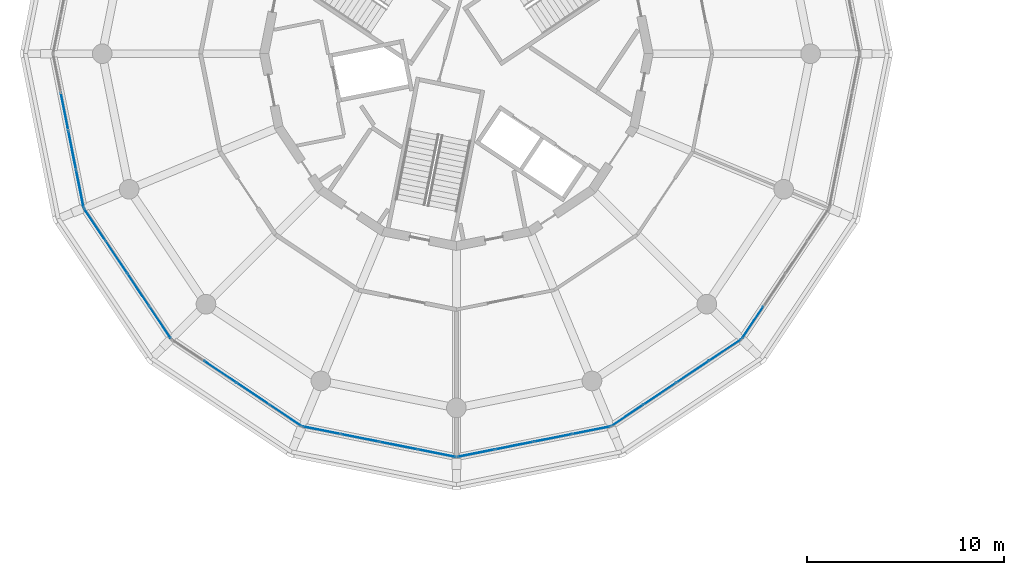
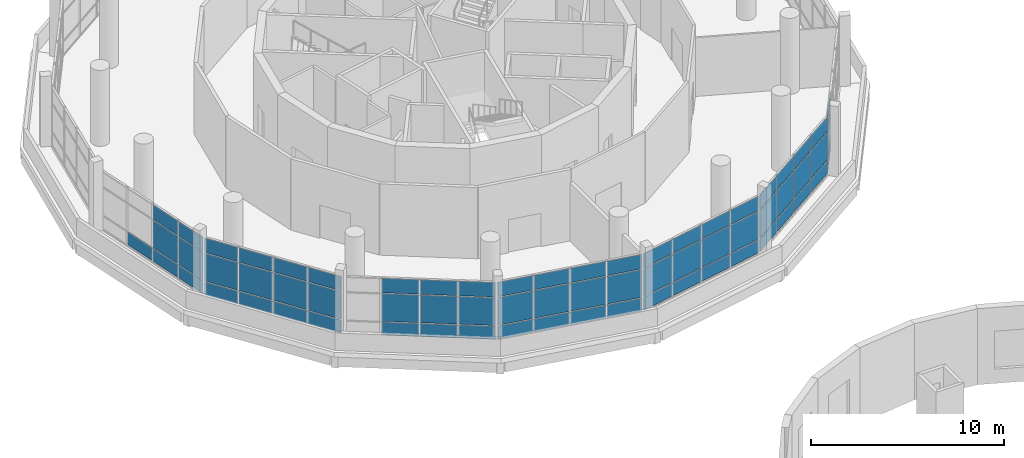
# One storey, part 18 of 40: 67 plates, 7 elements without a shape of their own.
"""IFC4 building model written with IfcOpenShell, lengths in metres."""

from ifc_helpers import new_model, si_unit, direction, frame, origin, origin_2d, place, context, subcontext, project, spatial, rectangle, extrude, material, layer, layer_set, type_object, element, aggregate, save


model = new_model("IFC4")

# Units and contexts
model_context = context("Model", 3, precision=1e-05, world=origin(), true_north=direction((0.0, 1.0)))
body_context = subcontext(model_context, "Body", "Model", "MODEL_VIEW")
ifc_project = project(units=[si_unit("LENGTHUNIT", "METRE"), si_unit("AREAUNIT", "SQUARE_METRE"), si_unit("VOLUMEUNIT", "CUBIC_METRE"), si_unit("PLANEANGLEUNIT", "RADIAN"), si_unit("MASSUNIT", "GRAM", prefix="KILO")], contexts=[model_context])

# Site, building, storey
site_placement = place(None, origin())
site = spatial("IfcSite", under=ifc_project, at=site_placement, CompositionType="ELEMENT")
building_placement = place(site_placement, origin())
building = spatial("IfcBuilding", under=site, at=building_placement, Name="Ceibo Conservatory and Research Tower", CompositionType="ELEMENT")
storey_placement = place(building_placement, frame((0.0, 0.0, 6.0)))
storey = spatial("IfcBuildingStorey", under=building, at=storey_placement, Name="L01", CompositionType="ELEMENT", Elevation=6.0)

# Curtain wall, plates
ifc_material_1 = material(Name="Aluminium and glass", Category="aluminium")
curtain_wall_type = type_object("IfcCurtainWallType", Name="Curtain wall CW1", PredefinedType="NOTDEFINED", material=ifc_material_1)
curtain_wall_1_placement = place(storey_placement, origin())
curtain_wall_1 = element("IfcCurtainWall", 1, at=curtain_wall_1_placement, inside=storey, type_object=curtain_wall_type, Name="CW-01.09", PredefinedType="NOTDEFINED")
ifc_material_2 = material(Name="Glass", Category="glass")
ifc_layer = layer(ifc_material_2, 0.028076171875)
ifc_layer_set = layer_set([ifc_layer], Name="Glass")
plate_type = type_object("IfcPlateType", Name="Insulated glass panel 28", PredefinedType="CURTAIN_PANEL", material=ifc_layer_set)
plate_1_placement = place(storey_placement, frame((28.085205078125, 117.05810546875, 0.06005859375), z_axis=(0.0, 0.0, 1.0), x_axis=(0.195090380799, -0.980785268711, 0.0)))
plate_1 = element("IfcPlate", 2, at=plate_1_placement, type_object=plate_type, Name="CW-01.09 panel 2.1", PredefinedType="CURTAIN_PANEL", context=body_context, shape_type="SweptSolid", body=[
    extrude(rectangle(XDim=1.939697265625, YDim=0.028076171875, at=origin_2d()), origin(), (0.0, 0.0, 1.0), 0.81005859375),
])
plate_2_placement = place(storey_placement, frame((28.475341796875, 115.096923828125, 0.06005859375), z_axis=(0.0, 0.0, 1.0), x_axis=(0.195090380799, -0.980785268711, 0.0)))
plate_2 = element("IfcPlate", 3, at=plate_2_placement, type_object=plate_type, Name="CW-01.09 panel 3.1", PredefinedType="CURTAIN_PANEL", context=body_context, shape_type="SweptSolid", body=[
    extrude(rectangle(XDim=1.939697265625, YDim=0.028076171875, at=origin_2d()), origin(), (0.0, 0.0, 1.0), 0.81005859375),
])
plate_3_placement = place(storey_placement, frame((28.475341796875, 115.096923828125, 0.93017578125), z_axis=(0.0, 0.0, 1.0), x_axis=(0.195090380799, -0.980785268711, 0.0)))
plate_3 = element("IfcPlate", 4, at=plate_3_placement, type_object=plate_type, Name="CW-01.09 panel 3.2", PredefinedType="CURTAIN_PANEL", context=body_context, shape_type="SweptSolid", body=[
    extrude(rectangle(XDim=1.939697265625, YDim=0.028076171875, at=origin_2d()), origin(), (0.0, 0.0, 1.0), 1.739990234375),
])
plate_4_placement = place(storey_placement, frame((28.475341796875, 115.096923828125, 2.72998046875), z_axis=(0.0, 0.0, 1.0), x_axis=(0.195090380799, -0.980785268711, 0.0)))
plate_4 = element("IfcPlate", 5, at=plate_4_placement, type_object=plate_type, Name="CW-01.09 panel 3.3", PredefinedType="CURTAIN_PANEL", context=body_context, shape_type="SweptSolid", body=[
    extrude(rectangle(XDim=1.939697265625, YDim=0.028076171875, at=origin_2d()), origin(), (0.0, 0.0, 1.0), 0.909912109375),
])
plate_5_placement = place(storey_placement, frame((28.862548828125, 113.150390625, 0.06005859375), z_axis=(0.0, 0.0, 1.0), x_axis=(0.195090380799, -0.980785268711, 0.0)))
plate_5 = element("IfcPlate", 6, at=plate_5_placement, type_object=plate_type, Name="CW-01.09 panel 4.1", PredefinedType="CURTAIN_PANEL", context=body_context, shape_type="SweptSolid", body=[
    extrude(rectangle(XDim=1.90966796875, YDim=0.028076171875, at=origin_2d()), origin(), (0.0, 0.0, 1.0), 0.81005859375),
])
plate_6_placement = place(storey_placement, frame((28.862548828125, 113.150390625, 0.93017578125), z_axis=(0.0, 0.0, 1.0), x_axis=(0.195090380799, -0.980785268711, 0.0)))
plate_6 = element("IfcPlate", 7, at=plate_6_placement, type_object=plate_type, Name="CW-01.09 panel 4.2", PredefinedType="CURTAIN_PANEL", context=body_context, shape_type="SweptSolid", body=[
    extrude(rectangle(XDim=1.90966796875, YDim=0.028076171875, at=origin_2d()), origin(), (0.0, 0.0, 1.0), 1.739990234375),
])
plate_7_placement = place(storey_placement, frame((28.862548828125, 113.150390625, 2.72998046875), z_axis=(0.0, 0.0, 1.0), x_axis=(0.195090380799, -0.980785268711, 0.0)))
plate_7 = element("IfcPlate", 8, at=plate_7_placement, type_object=plate_type, Name="CW-01.09 panel 4.3", PredefinedType="CURTAIN_PANEL", context=body_context, shape_type="SweptSolid", body=[
    extrude(rectangle(XDim=1.90966796875, YDim=0.028076171875, at=origin_2d()), origin(), (0.0, 0.0, 1.0), 0.909912109375),
])
aggregate(curtain_wall_1, [plate_1, plate_2, plate_3, plate_4, plate_5, plate_6, plate_7])

curtain_wall_2_placement = place(storey_placement, origin())
curtain_wall_2 = element("IfcCurtainWall", 9, at=curtain_wall_2_placement, inside=storey, type_object=curtain_wall_type, Name="CW-01.10", PredefinedType="NOTDEFINED")
plate_8_placement = place(storey_placement, frame((29.624267578125, 111.311279296875, 0.06005859375), z_axis=(0.0, 0.0, 1.0), x_axis=(0.555570178092, -0.831469649004, 0.0)))
plate_8 = element("IfcPlate", 10, at=plate_8_placement, type_object=plate_type, Name="CW-01.10 panel 1.1", PredefinedType="CURTAIN_PANEL", context=body_context, shape_type="SweptSolid", body=[
    extrude(rectangle(XDim=1.90966796875, YDim=0.028076171875, at=origin_2d()), origin(), (0.0, 0.0, 1.0), 0.81005859375),
])
plate_9_placement = place(storey_placement, frame((29.624267578125, 111.311279296875, 0.93017578125), z_axis=(0.0, 0.0, 1.0), x_axis=(0.555570178092, -0.831469649004, 0.0)))
plate_9 = element("IfcPlate", 11, at=plate_9_placement, type_object=plate_type, Name="CW-01.10 panel 1.2", PredefinedType="CURTAIN_PANEL", context=body_context, shape_type="SweptSolid", body=[
    extrude(rectangle(XDim=1.90966796875, YDim=0.028076171875, at=origin_2d()), origin(), (0.0, 0.0, 1.0), 1.739990234375),
])
plate_10_placement = place(storey_placement, frame((29.624267578125, 111.311279296875, 2.72998046875), z_axis=(0.0, 0.0, 1.0), x_axis=(0.555570178092, -0.831469649004, 0.0)))
plate_10 = element("IfcPlate", 12, at=plate_10_placement, type_object=plate_type, Name="CW-01.10 panel 1.3", PredefinedType="CURTAIN_PANEL", context=body_context, shape_type="SweptSolid", body=[
    extrude(rectangle(XDim=1.90966796875, YDim=0.028076171875, at=origin_2d()), origin(), (0.0, 0.0, 1.0), 0.909912109375),
])
plate_11_placement = place(storey_placement, frame((30.726806640625, 109.660888671875, 0.06005859375), z_axis=(0.0, 0.0, 1.0), x_axis=(0.555570178092, -0.831469649004, 0.0)))
plate_11 = element("IfcPlate", 13, at=plate_11_placement, type_object=plate_type, Name="CW-01.10 panel 2.1", PredefinedType="CURTAIN_PANEL", context=body_context, shape_type="SweptSolid", body=[
    extrude(rectangle(XDim=1.939697265625, YDim=0.028076171875, at=origin_2d()), origin(), (0.0, 0.0, 1.0), 0.81005859375),
])
plate_12_placement = place(storey_placement, frame((30.726806640625, 109.660888671875, 0.93017578125), z_axis=(0.0, 0.0, 1.0), x_axis=(0.555570178092, -0.831469649004, 0.0)))
plate_12 = element("IfcPlate", 14, at=plate_12_placement, type_object=plate_type, Name="CW-01.10 panel 2.2", PredefinedType="CURTAIN_PANEL", context=body_context, shape_type="SweptSolid", body=[
    extrude(rectangle(XDim=1.939697265625, YDim=0.028076171875, at=origin_2d()), origin(), (0.0, 0.0, 1.0), 1.739990234375),
])
plate_13_placement = place(storey_placement, frame((30.726806640625, 109.660888671875, 2.72998046875), z_axis=(0.0, 0.0, 1.0), x_axis=(0.555570178092, -0.831469649004, 0.0)))
plate_13 = element("IfcPlate", 15, at=plate_13_placement, type_object=plate_type, Name="CW-01.10 panel 2.3", PredefinedType="CURTAIN_PANEL", context=body_context, shape_type="SweptSolid", body=[
    extrude(rectangle(XDim=1.939697265625, YDim=0.028076171875, at=origin_2d()), origin(), (0.0, 0.0, 1.0), 0.909912109375),
])
plate_14_placement = place(storey_placement, frame((31.837890625, 107.998291015625, 0.06005859375), z_axis=(0.0, 0.0, 1.0), x_axis=(0.555570178092, -0.831469649004, 0.0)))
plate_14 = element("IfcPlate", 16, at=plate_14_placement, type_object=plate_type, Name="CW-01.10 panel 3.1", PredefinedType="CURTAIN_PANEL", context=body_context, shape_type="SweptSolid", body=[
    extrude(rectangle(XDim=1.939697265625, YDim=0.028076171875, at=origin_2d()), origin(), (0.0, 0.0, 1.0), 0.81005859375),
])
plate_15_placement = place(storey_placement, frame((31.837890625, 107.998291015625, 0.93017578125), z_axis=(0.0, 0.0, 1.0), x_axis=(0.555570178092, -0.831469649004, 0.0)))
plate_15 = element("IfcPlate", 17, at=plate_15_placement, type_object=plate_type, Name="CW-01.10 panel 3.2", PredefinedType="CURTAIN_PANEL", context=body_context, shape_type="SweptSolid", body=[
    extrude(rectangle(XDim=1.939697265625, YDim=0.028076171875, at=origin_2d()), origin(), (0.0, 0.0, 1.0), 1.739990234375),
])
plate_16_placement = place(storey_placement, frame((31.837890625, 107.998291015625, 2.72998046875), z_axis=(0.0, 0.0, 1.0), x_axis=(0.555570178092, -0.831469649004, 0.0)))
plate_16 = element("IfcPlate", 18, at=plate_16_placement, type_object=plate_type, Name="CW-01.10 panel 3.3", PredefinedType="CURTAIN_PANEL", context=body_context, shape_type="SweptSolid", body=[
    extrude(rectangle(XDim=1.939697265625, YDim=0.028076171875, at=origin_2d()), origin(), (0.0, 0.0, 1.0), 0.909912109375),
])
plate_17_placement = place(storey_placement, frame((32.9404296875, 106.34814453125, 0.06005859375), z_axis=(0.0, 0.0, 1.0), x_axis=(0.555570178092, -0.831469649004, 0.0)))
plate_17 = element("IfcPlate", 19, at=plate_17_placement, type_object=plate_type, Name="CW-01.10 panel 4.1", PredefinedType="CURTAIN_PANEL", context=body_context, shape_type="SweptSolid", body=[
    extrude(rectangle(XDim=1.90966796875, YDim=0.028076171875, at=origin_2d()), origin(), (0.0, 0.0, 1.0), 0.81005859375),
])
plate_18_placement = place(storey_placement, frame((32.9404296875, 106.34814453125, 0.93017578125), z_axis=(0.0, 0.0, 1.0), x_axis=(0.555570178092, -0.831469649004, 0.0)))
plate_18 = element("IfcPlate", 20, at=plate_18_placement, type_object=plate_type, Name="CW-01.10 panel 4.2", PredefinedType="CURTAIN_PANEL", context=body_context, shape_type="SweptSolid", body=[
    extrude(rectangle(XDim=1.90966796875, YDim=0.028076171875, at=origin_2d()), origin(), (0.0, 0.0, 1.0), 1.739990234375),
])
plate_19_placement = place(storey_placement, frame((32.9404296875, 106.34814453125, 2.72998046875), z_axis=(0.0, 0.0, 1.0), x_axis=(0.555570178092, -0.831469649004, 0.0)))
plate_19 = element("IfcPlate", 21, at=plate_19_placement, type_object=plate_type, Name="CW-01.10 panel 4.3", PredefinedType="CURTAIN_PANEL", context=body_context, shape_type="SweptSolid", body=[
    extrude(rectangle(XDim=1.90966796875, YDim=0.028076171875, at=origin_2d()), origin(), (0.0, 0.0, 1.0), 0.909912109375),
])
aggregate(curtain_wall_2, [plate_8, plate_9, plate_10, plate_11, plate_12, plate_13, plate_14, plate_15, plate_16, plate_17, plate_18, plate_19])

curtain_wall_3_placement = place(storey_placement, origin())
curtain_wall_3 = element("IfcCurtainWall", 22, at=curtain_wall_3_placement, inside=storey, type_object=curtain_wall_type, Name="CW-01.11", PredefinedType="NOTDEFINED")
plate_20_placement = place(storey_placement, frame((35.998291015625, 103.837890625, 0.06005859375), z_axis=(0.0, 0.0, 1.0), x_axis=(0.831469649004, -0.555570178092, 0.0)))
plate_20 = element("IfcPlate", 23, at=plate_20_placement, type_object=plate_type, Name="CW-01.11 panel 2.1", PredefinedType="CURTAIN_PANEL", context=body_context, shape_type="SweptSolid", body=[
    extrude(rectangle(XDim=1.939697265625, YDim=0.028076171875, at=origin_2d()), origin(), (0.0, 0.0, 1.0), 0.81005859375),
])
plate_21_placement = place(storey_placement, frame((35.998291015625, 103.837890625, 0.93017578125), z_axis=(0.0, 0.0, 1.0), x_axis=(0.831469649004, -0.555570178092, 0.0)))
plate_21 = element("IfcPlate", 24, at=plate_21_placement, type_object=plate_type, Name="CW-01.11 panel 2.2", PredefinedType="CURTAIN_PANEL", context=body_context, shape_type="SweptSolid", body=[
    extrude(rectangle(XDim=1.939697265625, YDim=0.028076171875, at=origin_2d()), origin(), (0.0, 0.0, 1.0), 1.739990234375),
])
plate_22_placement = place(storey_placement, frame((35.998291015625, 103.837890625, 2.72998046875), z_axis=(0.0, 0.0, 1.0), x_axis=(0.831469649004, -0.555570178092, 0.0)))
plate_22 = element("IfcPlate", 25, at=plate_22_placement, type_object=plate_type, Name="CW-01.11 panel 2.3", PredefinedType="CURTAIN_PANEL", context=body_context, shape_type="SweptSolid", body=[
    extrude(rectangle(XDim=1.939697265625, YDim=0.028076171875, at=origin_2d()), origin(), (0.0, 0.0, 1.0), 0.909912109375),
])
plate_23_placement = place(storey_placement, frame((37.660888671875, 102.726806640625, 0.06005859375), z_axis=(0.0, 0.0, 1.0), x_axis=(0.831469649004, -0.555570178092, 0.0)))
plate_23 = element("IfcPlate", 26, at=plate_23_placement, type_object=plate_type, Name="CW-01.11 panel 3.1", PredefinedType="CURTAIN_PANEL", context=body_context, shape_type="SweptSolid", body=[
    extrude(rectangle(XDim=1.939697265625, YDim=0.028076171875, at=origin_2d()), origin(), (0.0, 0.0, 1.0), 0.81005859375),
])
plate_24_placement = place(storey_placement, frame((37.660888671875, 102.726806640625, 0.93017578125), z_axis=(0.0, 0.0, 1.0), x_axis=(0.831469649004, -0.555570178092, 0.0)))
plate_24 = element("IfcPlate", 27, at=plate_24_placement, type_object=plate_type, Name="CW-01.11 panel 3.2", PredefinedType="CURTAIN_PANEL", context=body_context, shape_type="SweptSolid", body=[
    extrude(rectangle(XDim=1.939697265625, YDim=0.028076171875, at=origin_2d()), origin(), (0.0, 0.0, 1.0), 1.739990234375),
])
plate_25_placement = place(storey_placement, frame((37.660888671875, 102.726806640625, 2.72998046875), z_axis=(0.0, 0.0, 1.0), x_axis=(0.831469649004, -0.555570178092, 0.0)))
plate_25 = element("IfcPlate", 28, at=plate_25_placement, type_object=plate_type, Name="CW-01.11 panel 3.3", PredefinedType="CURTAIN_PANEL", context=body_context, shape_type="SweptSolid", body=[
    extrude(rectangle(XDim=1.939697265625, YDim=0.028076171875, at=origin_2d()), origin(), (0.0, 0.0, 1.0), 0.909912109375),
])
plate_26_placement = place(storey_placement, frame((39.311279296875, 101.624267578125, 0.06005859375), z_axis=(0.0, 0.0, 1.0), x_axis=(0.831469649004, -0.555570178092, 0.0)))
plate_26 = element("IfcPlate", 29, at=plate_26_placement, type_object=plate_type, Name="CW-01.11 panel 4.1", PredefinedType="CURTAIN_PANEL", context=body_context, shape_type="SweptSolid", body=[
    extrude(rectangle(XDim=1.90966796875, YDim=0.028076171875, at=origin_2d()), origin(), (0.0, 0.0, 1.0), 0.81005859375),
])
plate_27_placement = place(storey_placement, frame((39.311279296875, 101.624267578125, 0.93017578125), z_axis=(0.0, 0.0, 1.0), x_axis=(0.831469649004, -0.555570178092, 0.0)))
plate_27 = element("IfcPlate", 30, at=plate_27_placement, type_object=plate_type, Name="CW-01.11 panel 4.2", PredefinedType="CURTAIN_PANEL", context=body_context, shape_type="SweptSolid", body=[
    extrude(rectangle(XDim=1.90966796875, YDim=0.028076171875, at=origin_2d()), origin(), (0.0, 0.0, 1.0), 1.739990234375),
])
plate_28_placement = place(storey_placement, frame((39.311279296875, 101.624267578125, 2.72998046875), z_axis=(0.0, 0.0, 1.0), x_axis=(0.831469649004, -0.555570178092, 0.0)))
plate_28 = element("IfcPlate", 31, at=plate_28_placement, type_object=plate_type, Name="CW-01.11 panel 4.3", PredefinedType="CURTAIN_PANEL", context=body_context, shape_type="SweptSolid", body=[
    extrude(rectangle(XDim=1.90966796875, YDim=0.028076171875, at=origin_2d()), origin(), (0.0, 0.0, 1.0), 0.909912109375),
])
aggregate(curtain_wall_3, [plate_20, plate_21, plate_22, plate_23, plate_24, plate_25, plate_26, plate_27, plate_28])

curtain_wall_4_placement = place(storey_placement, origin())
curtain_wall_4 = element("IfcCurtainWall", 32, at=curtain_wall_4_placement, inside=storey, type_object=curtain_wall_type, Name="CW-01.12", PredefinedType="NOTDEFINED")
plate_29_placement = place(storey_placement, frame((41.150390625, 100.862548828125, 0.06005859375), z_axis=(0.0, 0.0, 1.0), x_axis=(0.980785268711, -0.195090380799, 0.0)))
plate_29 = element("IfcPlate", 33, at=plate_29_placement, type_object=plate_type, Name="CW-01.12 panel 1.1", PredefinedType="CURTAIN_PANEL", context=body_context, shape_type="SweptSolid", body=[
    extrude(rectangle(XDim=1.90966796875, YDim=0.028076171875, at=origin_2d()), origin(), (0.0, 0.0, 1.0), 0.81005859375),
])
plate_30_placement = place(storey_placement, frame((41.150390625, 100.862548828125, 0.93017578125), z_axis=(0.0, 0.0, 1.0), x_axis=(0.980785268711, -0.195090380799, 0.0)))
plate_30 = element("IfcPlate", 34, at=plate_30_placement, type_object=plate_type, Name="CW-01.12 panel 1.2", PredefinedType="CURTAIN_PANEL", context=body_context, shape_type="SweptSolid", body=[
    extrude(rectangle(XDim=1.90966796875, YDim=0.028076171875, at=origin_2d()), origin(), (0.0, 0.0, 1.0), 1.739990234375),
])
plate_31_placement = place(storey_placement, frame((41.150390625, 100.862548828125, 2.72998046875), z_axis=(0.0, 0.0, 1.0), x_axis=(0.980785268711, -0.195090380799, 0.0)))
plate_31 = element("IfcPlate", 35, at=plate_31_placement, type_object=plate_type, Name="CW-01.12 panel 1.3", PredefinedType="CURTAIN_PANEL", context=body_context, shape_type="SweptSolid", body=[
    extrude(rectangle(XDim=1.90966796875, YDim=0.028076171875, at=origin_2d()), origin(), (0.0, 0.0, 1.0), 0.909912109375),
])
plate_32_placement = place(storey_placement, frame((43.096923828125, 100.475341796875, 0.06005859375), z_axis=(0.0, 0.0, 1.0), x_axis=(0.980785268711, -0.195090380799, 0.0)))
plate_32 = element("IfcPlate", 36, at=plate_32_placement, type_object=plate_type, Name="CW-01.12 panel 2.1", PredefinedType="CURTAIN_PANEL", context=body_context, shape_type="SweptSolid", body=[
    extrude(rectangle(XDim=1.939697265625, YDim=0.028076171875, at=origin_2d()), origin(), (0.0, 0.0, 1.0), 0.81005859375),
])
plate_33_placement = place(storey_placement, frame((43.096923828125, 100.475341796875, 0.93017578125), z_axis=(0.0, 0.0, 1.0), x_axis=(0.980785268711, -0.195090380799, 0.0)))
plate_33 = element("IfcPlate", 37, at=plate_33_placement, type_object=plate_type, Name="CW-01.12 panel 2.2", PredefinedType="CURTAIN_PANEL", context=body_context, shape_type="SweptSolid", body=[
    extrude(rectangle(XDim=1.939697265625, YDim=0.028076171875, at=origin_2d()), origin(), (0.0, 0.0, 1.0), 1.739990234375),
])
plate_34_placement = place(storey_placement, frame((43.096923828125, 100.475341796875, 2.72998046875), z_axis=(0.0, 0.0, 1.0), x_axis=(0.980785268711, -0.195090380799, 0.0)))
plate_34 = element("IfcPlate", 38, at=plate_34_placement, type_object=plate_type, Name="CW-01.12 panel 2.3", PredefinedType="CURTAIN_PANEL", context=body_context, shape_type="SweptSolid", body=[
    extrude(rectangle(XDim=1.939697265625, YDim=0.028076171875, at=origin_2d()), origin(), (0.0, 0.0, 1.0), 0.909912109375),
])
plate_35_placement = place(storey_placement, frame((45.05810546875, 100.085205078125, 0.06005859375), z_axis=(0.0, 0.0, 1.0), x_axis=(0.980785268711, -0.195090380799, 0.0)))
plate_35 = element("IfcPlate", 39, at=plate_35_placement, type_object=plate_type, Name="CW-01.12 panel 3.1", PredefinedType="CURTAIN_PANEL", context=body_context, shape_type="SweptSolid", body=[
    extrude(rectangle(XDim=1.939697265625, YDim=0.028076171875, at=origin_2d()), origin(), (0.0, 0.0, 1.0), 0.81005859375),
])
plate_36_placement = place(storey_placement, frame((45.05810546875, 100.085205078125, 0.93017578125), z_axis=(0.0, 0.0, 1.0), x_axis=(0.980785268711, -0.195090380799, 0.0)))
plate_36 = element("IfcPlate", 40, at=plate_36_placement, type_object=plate_type, Name="CW-01.12 panel 3.2", PredefinedType="CURTAIN_PANEL", context=body_context, shape_type="SweptSolid", body=[
    extrude(rectangle(XDim=1.939697265625, YDim=0.028076171875, at=origin_2d()), origin(), (0.0, 0.0, 1.0), 1.739990234375),
])
plate_37_placement = place(storey_placement, frame((45.05810546875, 100.085205078125, 2.72998046875), z_axis=(0.0, 0.0, 1.0), x_axis=(0.980785268711, -0.195090380799, 0.0)))
plate_37 = element("IfcPlate", 41, at=plate_37_placement, type_object=plate_type, Name="CW-01.12 panel 3.3", PredefinedType="CURTAIN_PANEL", context=body_context, shape_type="SweptSolid", body=[
    extrude(rectangle(XDim=1.939697265625, YDim=0.028076171875, at=origin_2d()), origin(), (0.0, 0.0, 1.0), 0.909912109375),
])
plate_38_placement = place(storey_placement, frame((47.004638671875, 99.697998046875, 0.06005859375), z_axis=(0.0, 0.0, 1.0), x_axis=(0.980785268711, -0.195090380799, 0.0)))
plate_38 = element("IfcPlate", 42, at=plate_38_placement, type_object=plate_type, Name="CW-01.12 panel 4.1", PredefinedType="CURTAIN_PANEL", context=body_context, shape_type="SweptSolid", body=[
    extrude(rectangle(XDim=1.90966796875, YDim=0.028076171875, at=origin_2d()), origin(), (0.0, 0.0, 1.0), 0.81005859375),
])
plate_39_placement = place(storey_placement, frame((47.004638671875, 99.697998046875, 0.93017578125), z_axis=(0.0, 0.0, 1.0), x_axis=(0.980785268711, -0.195090380799, 0.0)))
plate_39 = element("IfcPlate", 43, at=plate_39_placement, type_object=plate_type, Name="CW-01.12 panel 4.2", PredefinedType="CURTAIN_PANEL", context=body_context, shape_type="SweptSolid", body=[
    extrude(rectangle(XDim=1.90966796875, YDim=0.028076171875, at=origin_2d()), origin(), (0.0, 0.0, 1.0), 1.739990234375),
])
plate_40_placement = place(storey_placement, frame((47.004638671875, 99.697998046875, 2.72998046875), z_axis=(0.0, 0.0, 1.0), x_axis=(0.980785268711, -0.195090380799, 0.0)))
plate_40 = element("IfcPlate", 44, at=plate_40_placement, type_object=plate_type, Name="CW-01.12 panel 4.3", PredefinedType="CURTAIN_PANEL", context=body_context, shape_type="SweptSolid", body=[
    extrude(rectangle(XDim=1.90966796875, YDim=0.028076171875, at=origin_2d()), origin(), (0.0, 0.0, 1.0), 0.909912109375),
])
aggregate(curtain_wall_4, [plate_29, plate_30, plate_31, plate_32, plate_33, plate_34, plate_35, plate_36, plate_37, plate_38, plate_39, plate_40])

curtain_wall_5_placement = place(storey_placement, origin())
curtain_wall_5 = element("IfcCurtainWall", 45, at=curtain_wall_5_placement, inside=storey, type_object=curtain_wall_type, Name="CW-01.13", PredefinedType="NOTDEFINED")
plate_41_placement = place(storey_placement, frame((48.995361328125, 99.697998046875, 0.06005859375), z_axis=(0.0, 0.0, 1.0), x_axis=(0.980785268711, 0.195090380799, 0.0)))
plate_41 = element("IfcPlate", 46, at=plate_41_placement, type_object=plate_type, Name="CW-01.13 panel 1.1", PredefinedType="CURTAIN_PANEL", context=body_context, shape_type="SweptSolid", body=[
    extrude(rectangle(XDim=1.90966796875, YDim=0.028076171875, at=origin_2d()), origin(), (0.0, 0.0, 1.0), 0.81005859375),
])
plate_42_placement = place(storey_placement, frame((48.995361328125, 99.697998046875, 0.93017578125), z_axis=(0.0, 0.0, 1.0), x_axis=(0.980785268711, 0.195090380799, 0.0)))
plate_42 = element("IfcPlate", 47, at=plate_42_placement, type_object=plate_type, Name="CW-01.13 panel 1.2", PredefinedType="CURTAIN_PANEL", context=body_context, shape_type="SweptSolid", body=[
    extrude(rectangle(XDim=1.90966796875, YDim=0.028076171875, at=origin_2d()), origin(), (0.0, 0.0, 1.0), 1.739990234375),
])
plate_43_placement = place(storey_placement, frame((48.995361328125, 99.697998046875, 2.72998046875), z_axis=(0.0, 0.0, 1.0), x_axis=(0.980785268711, 0.195090380799, 0.0)))
plate_43 = element("IfcPlate", 48, at=plate_43_placement, type_object=plate_type, Name="CW-01.13 panel 1.3", PredefinedType="CURTAIN_PANEL", context=body_context, shape_type="SweptSolid", body=[
    extrude(rectangle(XDim=1.90966796875, YDim=0.028076171875, at=origin_2d()), origin(), (0.0, 0.0, 1.0), 0.909912109375),
])
plate_44_placement = place(storey_placement, frame((50.94189453125, 100.085205078125, 0.06005859375), z_axis=(0.0, 0.0, 1.0), x_axis=(0.980785268711, 0.195090380799, 0.0)))
plate_44 = element("IfcPlate", 49, at=plate_44_placement, type_object=plate_type, Name="CW-01.13 panel 2.1", PredefinedType="CURTAIN_PANEL", context=body_context, shape_type="SweptSolid", body=[
    extrude(rectangle(XDim=1.939697265625, YDim=0.028076171875, at=origin_2d()), origin(), (0.0, 0.0, 1.0), 0.81005859375),
])
plate_45_placement = place(storey_placement, frame((50.94189453125, 100.085205078125, 0.93017578125), z_axis=(0.0, 0.0, 1.0), x_axis=(0.980785268711, 0.195090380799, 0.0)))
plate_45 = element("IfcPlate", 50, at=plate_45_placement, type_object=plate_type, Name="CW-01.13 panel 2.2", PredefinedType="CURTAIN_PANEL", context=body_context, shape_type="SweptSolid", body=[
    extrude(rectangle(XDim=1.939697265625, YDim=0.028076171875, at=origin_2d()), origin(), (0.0, 0.0, 1.0), 1.739990234375),
])
plate_46_placement = place(storey_placement, frame((50.94189453125, 100.085205078125, 2.72998046875), z_axis=(0.0, 0.0, 1.0), x_axis=(0.980785268711, 0.195090380799, 0.0)))
plate_46 = element("IfcPlate", 51, at=plate_46_placement, type_object=plate_type, Name="CW-01.13 panel 2.3", PredefinedType="CURTAIN_PANEL", context=body_context, shape_type="SweptSolid", body=[
    extrude(rectangle(XDim=1.939697265625, YDim=0.028076171875, at=origin_2d()), origin(), (0.0, 0.0, 1.0), 0.909912109375),
])
plate_47_placement = place(storey_placement, frame((52.903076171875, 100.475341796875, 0.06005859375), z_axis=(0.0, 0.0, 1.0), x_axis=(0.980785268711, 0.195090380799, 0.0)))
plate_47 = element("IfcPlate", 52, at=plate_47_placement, type_object=plate_type, Name="CW-01.13 panel 3.1", PredefinedType="CURTAIN_PANEL", context=body_context, shape_type="SweptSolid", body=[
    extrude(rectangle(XDim=1.939697265625, YDim=0.028076171875, at=origin_2d()), origin(), (0.0, 0.0, 1.0), 0.81005859375),
])
plate_48_placement = place(storey_placement, frame((52.903076171875, 100.475341796875, 0.93017578125), z_axis=(0.0, 0.0, 1.0), x_axis=(0.980785268711, 0.195090380799, 0.0)))
plate_48 = element("IfcPlate", 53, at=plate_48_placement, type_object=plate_type, Name="CW-01.13 panel 3.2", PredefinedType="CURTAIN_PANEL", context=body_context, shape_type="SweptSolid", body=[
    extrude(rectangle(XDim=1.939697265625, YDim=0.028076171875, at=origin_2d()), origin(), (0.0, 0.0, 1.0), 1.739990234375),
])
plate_49_placement = place(storey_placement, frame((52.903076171875, 100.475341796875, 2.72998046875), z_axis=(0.0, 0.0, 1.0), x_axis=(0.980785268711, 0.195090380799, 0.0)))
plate_49 = element("IfcPlate", 54, at=plate_49_placement, type_object=plate_type, Name="CW-01.13 panel 3.3", PredefinedType="CURTAIN_PANEL", context=body_context, shape_type="SweptSolid", body=[
    extrude(rectangle(XDim=1.939697265625, YDim=0.028076171875, at=origin_2d()), origin(), (0.0, 0.0, 1.0), 0.909912109375),
])
plate_50_placement = place(storey_placement, frame((54.849609375, 100.862548828125, 0.06005859375), z_axis=(0.0, 0.0, 1.0), x_axis=(0.980785268711, 0.195090380799, 0.0)))
plate_50 = element("IfcPlate", 55, at=plate_50_placement, type_object=plate_type, Name="CW-01.13 panel 4.1", PredefinedType="CURTAIN_PANEL", context=body_context, shape_type="SweptSolid", body=[
    extrude(rectangle(XDim=1.90966796875, YDim=0.028076171875, at=origin_2d()), origin(), (0.0, 0.0, 1.0), 0.81005859375),
])
plate_51_placement = place(storey_placement, frame((54.849609375, 100.862548828125, 0.93017578125), z_axis=(0.0, 0.0, 1.0), x_axis=(0.980785268711, 0.195090380799, 0.0)))
plate_51 = element("IfcPlate", 56, at=plate_51_placement, type_object=plate_type, Name="CW-01.13 panel 4.2", PredefinedType="CURTAIN_PANEL", context=body_context, shape_type="SweptSolid", body=[
    extrude(rectangle(XDim=1.90966796875, YDim=0.028076171875, at=origin_2d()), origin(), (0.0, 0.0, 1.0), 1.739990234375),
])
plate_52_placement = place(storey_placement, frame((54.849609375, 100.862548828125, 2.72998046875), z_axis=(0.0, 0.0, 1.0), x_axis=(0.980785268711, 0.195090380799, 0.0)))
plate_52 = element("IfcPlate", 57, at=plate_52_placement, type_object=plate_type, Name="CW-01.13 panel 4.3", PredefinedType="CURTAIN_PANEL", context=body_context, shape_type="SweptSolid", body=[
    extrude(rectangle(XDim=1.90966796875, YDim=0.028076171875, at=origin_2d()), origin(), (0.0, 0.0, 1.0), 0.909912109375),
])
aggregate(curtain_wall_5, [plate_41, plate_42, plate_43, plate_44, plate_45, plate_46, plate_47, plate_48, plate_49, plate_50, plate_51, plate_52])

curtain_wall_6_placement = place(storey_placement, origin())
curtain_wall_6 = element("IfcCurtainWall", 58, at=curtain_wall_6_placement, inside=storey, type_object=curtain_wall_type, Name="CW-01.14", PredefinedType="NOTDEFINED")
plate_53_placement = place(storey_placement, frame((56.688720703125, 101.624267578125, 0.06005859375), z_axis=(0.0, 0.0, 1.0), x_axis=(0.831469649004, 0.555570178092, 0.0)))
plate_53 = element("IfcPlate", 59, at=plate_53_placement, type_object=plate_type, Name="CW-01.14 panel 1.1", PredefinedType="CURTAIN_PANEL", context=body_context, shape_type="SweptSolid", body=[
    extrude(rectangle(XDim=1.90966796875, YDim=0.028076171875, at=origin_2d()), origin(), (0.0, 0.0, 1.0), 0.81005859375),
])
plate_54_placement = place(storey_placement, frame((56.688720703125, 101.624267578125, 0.93017578125), z_axis=(0.0, 0.0, 1.0), x_axis=(0.831469649004, 0.555570178092, 0.0)))
plate_54 = element("IfcPlate", 60, at=plate_54_placement, type_object=plate_type, Name="CW-01.14 panel 1.2", PredefinedType="CURTAIN_PANEL", context=body_context, shape_type="SweptSolid", body=[
    extrude(rectangle(XDim=1.90966796875, YDim=0.028076171875, at=origin_2d()), origin(), (0.0, 0.0, 1.0), 1.739990234375),
])
plate_55_placement = place(storey_placement, frame((56.688720703125, 101.624267578125, 2.72998046875), z_axis=(0.0, 0.0, 1.0), x_axis=(0.831469649004, 0.555570178092, 0.0)))
plate_55 = element("IfcPlate", 61, at=plate_55_placement, type_object=plate_type, Name="CW-01.14 panel 1.3", PredefinedType="CURTAIN_PANEL", context=body_context, shape_type="SweptSolid", body=[
    extrude(rectangle(XDim=1.90966796875, YDim=0.028076171875, at=origin_2d()), origin(), (0.0, 0.0, 1.0), 0.909912109375),
])
plate_56_placement = place(storey_placement, frame((58.339111328125, 102.726806640625, 0.06005859375), z_axis=(0.0, 0.0, 1.0), x_axis=(0.831469649004, 0.555570178092, 0.0)))
plate_56 = element("IfcPlate", 62, at=plate_56_placement, type_object=plate_type, Name="CW-01.14 panel 2.1", PredefinedType="CURTAIN_PANEL", context=body_context, shape_type="SweptSolid", body=[
    extrude(rectangle(XDim=1.939697265625, YDim=0.028076171875, at=origin_2d()), origin(), (0.0, 0.0, 1.0), 0.81005859375),
])
plate_57_placement = place(storey_placement, frame((58.339111328125, 102.726806640625, 0.93017578125), z_axis=(0.0, 0.0, 1.0), x_axis=(0.831469649004, 0.555570178092, 0.0)))
plate_57 = element("IfcPlate", 63, at=plate_57_placement, type_object=plate_type, Name="CW-01.14 panel 2.2", PredefinedType="CURTAIN_PANEL", context=body_context, shape_type="SweptSolid", body=[
    extrude(rectangle(XDim=1.939697265625, YDim=0.028076171875, at=origin_2d()), origin(), (0.0, 0.0, 1.0), 1.739990234375),
])
plate_58_placement = place(storey_placement, frame((58.339111328125, 102.726806640625, 2.72998046875), z_axis=(0.0, 0.0, 1.0), x_axis=(0.831469649004, 0.555570178092, 0.0)))
plate_58 = element("IfcPlate", 64, at=plate_58_placement, type_object=plate_type, Name="CW-01.14 panel 2.3", PredefinedType="CURTAIN_PANEL", context=body_context, shape_type="SweptSolid", body=[
    extrude(rectangle(XDim=1.939697265625, YDim=0.028076171875, at=origin_2d()), origin(), (0.0, 0.0, 1.0), 0.909912109375),
])
plate_59_placement = place(storey_placement, frame((60.001708984375, 103.837890625, 0.06005859375), z_axis=(0.0, 0.0, 1.0), x_axis=(0.831469649004, 0.555570178092, 0.0)))
plate_59 = element("IfcPlate", 65, at=plate_59_placement, type_object=plate_type, Name="CW-01.14 panel 3.1", PredefinedType="CURTAIN_PANEL", context=body_context, shape_type="SweptSolid", body=[
    extrude(rectangle(XDim=1.939697265625, YDim=0.028076171875, at=origin_2d()), origin(), (0.0, 0.0, 1.0), 0.81005859375),
])
plate_60_placement = place(storey_placement, frame((60.001708984375, 103.837890625, 0.93017578125), z_axis=(0.0, 0.0, 1.0), x_axis=(0.831469649004, 0.555570178092, 0.0)))
plate_60 = element("IfcPlate", 66, at=plate_60_placement, type_object=plate_type, Name="CW-01.14 panel 3.2", PredefinedType="CURTAIN_PANEL", context=body_context, shape_type="SweptSolid", body=[
    extrude(rectangle(XDim=1.939697265625, YDim=0.028076171875, at=origin_2d()), origin(), (0.0, 0.0, 1.0), 1.739990234375),
])
plate_61_placement = place(storey_placement, frame((60.001708984375, 103.837890625, 2.72998046875), z_axis=(0.0, 0.0, 1.0), x_axis=(0.831469649004, 0.555570178092, 0.0)))
plate_61 = element("IfcPlate", 67, at=plate_61_placement, type_object=plate_type, Name="CW-01.14 panel 3.3", PredefinedType="CURTAIN_PANEL", context=body_context, shape_type="SweptSolid", body=[
    extrude(rectangle(XDim=1.939697265625, YDim=0.028076171875, at=origin_2d()), origin(), (0.0, 0.0, 1.0), 0.909912109375),
])
plate_62_placement = place(storey_placement, frame((61.65185546875, 104.9404296875, 0.06005859375), z_axis=(0.0, 0.0, 1.0), x_axis=(0.831469649004, 0.555570178092, 0.0)))
plate_62 = element("IfcPlate", 68, at=plate_62_placement, type_object=plate_type, Name="CW-01.14 panel 4.1", PredefinedType="CURTAIN_PANEL", context=body_context, shape_type="SweptSolid", body=[
    extrude(rectangle(XDim=1.90966796875, YDim=0.028076171875, at=origin_2d()), origin(), (0.0, 0.0, 1.0), 0.81005859375),
])
plate_63_placement = place(storey_placement, frame((61.65185546875, 104.9404296875, 0.93017578125), z_axis=(0.0, 0.0, 1.0), x_axis=(0.831469649004, 0.555570178092, 0.0)))
plate_63 = element("IfcPlate", 69, at=plate_63_placement, type_object=plate_type, Name="CW-01.14 panel 4.2", PredefinedType="CURTAIN_PANEL", context=body_context, shape_type="SweptSolid", body=[
    extrude(rectangle(XDim=1.90966796875, YDim=0.028076171875, at=origin_2d()), origin(), (0.0, 0.0, 1.0), 1.739990234375),
])
plate_64_placement = place(storey_placement, frame((61.65185546875, 104.9404296875, 2.72998046875), z_axis=(0.0, 0.0, 1.0), x_axis=(0.831469649004, 0.555570178092, 0.0)))
plate_64 = element("IfcPlate", 70, at=plate_64_placement, type_object=plate_type, Name="CW-01.14 panel 4.3", PredefinedType="CURTAIN_PANEL", context=body_context, shape_type="SweptSolid", body=[
    extrude(rectangle(XDim=1.90966796875, YDim=0.028076171875, at=origin_2d()), origin(), (0.0, 0.0, 1.0), 0.909912109375),
])
aggregate(curtain_wall_6, [plate_53, plate_54, plate_55, plate_56, plate_57, plate_58, plate_59, plate_60, plate_61, plate_62, plate_63, plate_64])

curtain_wall_7_placement = place(storey_placement, origin())
curtain_wall_7 = element("IfcCurtainWall", 71, at=curtain_wall_7_placement, inside=storey, type_object=curtain_wall_type, Name="CW-01.15", PredefinedType="NOTDEFINED")
plate_65_placement = place(storey_placement, frame((63.0595703125, 106.34814453125, 0.06005859375), z_axis=(0.0, 0.0, 1.0), x_axis=(0.555570178092, 0.831469649004, 0.0)))
plate_65 = element("IfcPlate", 72, at=plate_65_placement, type_object=plate_type, Name="CW-01.15 panel 1.1", PredefinedType="CURTAIN_PANEL", context=body_context, shape_type="SweptSolid", body=[
    extrude(rectangle(XDim=1.90966796875, YDim=0.028076171875, at=origin_2d()), origin(), (0.0, 0.0, 1.0), 0.81005859375),
])
plate_66_placement = place(storey_placement, frame((63.0595703125, 106.34814453125, 0.93017578125), z_axis=(0.0, 0.0, 1.0), x_axis=(0.555570178092, 0.831469649004, 0.0)))
plate_66 = element("IfcPlate", 73, at=plate_66_placement, type_object=plate_type, Name="CW-01.15 panel 1.2", PredefinedType="CURTAIN_PANEL", context=body_context, shape_type="SweptSolid", body=[
    extrude(rectangle(XDim=1.90966796875, YDim=0.028076171875, at=origin_2d()), origin(), (0.0, 0.0, 1.0), 1.739990234375),
])
plate_67_placement = place(storey_placement, frame((63.0595703125, 106.34814453125, 2.72998046875), z_axis=(0.0, 0.0, 1.0), x_axis=(0.555570178092, 0.831469649004, 0.0)))
plate_67 = element("IfcPlate", 74, at=plate_67_placement, type_object=plate_type, Name="CW-01.15 panel 1.3", PredefinedType="CURTAIN_PANEL", context=body_context, shape_type="SweptSolid", body=[
    extrude(rectangle(XDim=1.90966796875, YDim=0.028076171875, at=origin_2d()), origin(), (0.0, 0.0, 1.0), 0.909912109375),
])
aggregate(curtain_wall_7, [plate_65, plate_66, plate_67])

save(model, "model.ifc")
